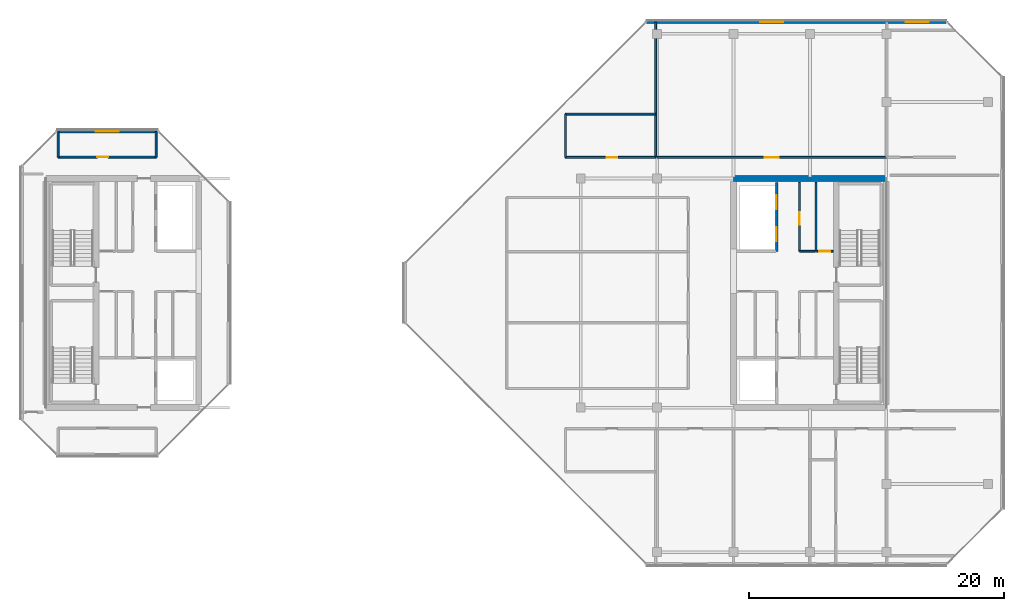
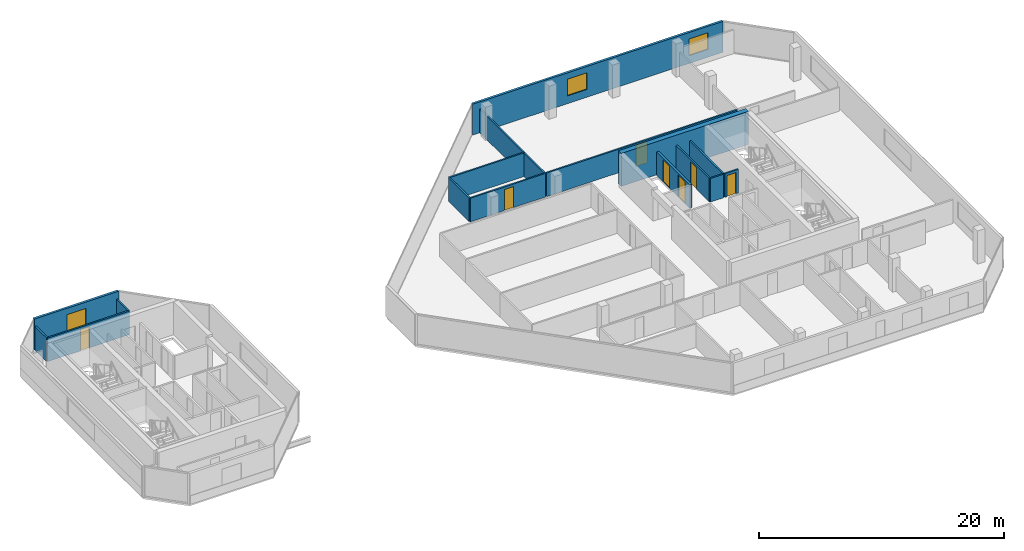
# One storey, part 24 of 29: 16 walls, 7 doors, 3 windows, 10 openings.
"""IFC4 building model written with IfcOpenShell, lengths in metres."""

from ifc_helpers import new_model, si_unit, direction, frame, frame_2d, origin, place, context, subcontext, project, spatial, rectangle, extrude, material, layer, layer_set, type_object, element, fill, save


model = new_model("IFC4")

# Units and contexts
model_context = context("Model", 3, precision=1e-05, world=origin(), true_north=direction((0.0, 1.0)))
body_context = subcontext(model_context, "Body", "Model", "MODEL_VIEW")
ifc_project = project(units=[si_unit("LENGTHUNIT", "METRE"), si_unit("AREAUNIT", "SQUARE_METRE"), si_unit("VOLUMEUNIT", "CUBIC_METRE"), si_unit("PLANEANGLEUNIT", "RADIAN"), si_unit("MASSUNIT", "GRAM", prefix="KILO")], contexts=[model_context])

# Site, building, storey
site_placement = place(None, origin())
site = spatial("IfcSite", under=ifc_project, at=site_placement, CompositionType="ELEMENT")
building_placement = place(site_placement, origin())
building = spatial("IfcBuilding", under=site, at=building_placement, Name="Tanjung Sevakor Pilgrim Tower", CompositionType="ELEMENT")
storey_placement = place(building_placement, frame((0.0, 0.0, 235.949951171875)))
storey = spatial("IfcBuildingStorey", under=building, at=storey_placement, Name="L66", CompositionType="ELEMENT", Elevation=235.949951171875)

# Walls
ifc_material_1 = material(Name="Concrete C60/75", Category="concrete")
ifc_layer_1 = layer(ifc_material_1, 0.449951171875)
ifc_layer_set_1 = layer_set([ifc_layer_1], Name="WALL-CW-450")
wall_type_1 = type_object("IfcWallType", Name="WALL-CW-450", PredefinedType="SHEAR", material=ifc_layer_set_1)
wall_1_placement = place(storey_placement, frame((90.0, 42.60009765625, 0.0), z_axis=(0.0, 0.0, 1.0), x_axis=(-1.0, 0.0, 0.0)))
element("IfcWall", 1, at=wall_1_placement, inside=storey, type_object=wall_type_1, Name="L66 E Core North Shear Wall", PredefinedType="SHEAR", context=body_context, shape_type="SweptSolid", body=[
    extrude(rectangle(XDim=12.0, YDim=0.449951171875, at=frame_2d((6.0, 0.0))), origin(), (0.0, 0.0, 1.0), 3.300048828125),
])
ifc_material_2 = material(Name="Concrete C40/50", Category="concrete")
ifc_layer_2 = layer(ifc_material_2, 0.14990234375)
ifc_layer_set_2 = layer_set([ifc_layer_2], Name="WT-COMP-150")
wall_type_2 = type_object("IfcWallType", Name="WT-COMP-150", PredefinedType="SOLIDWALL", material=ifc_layer_set_2)
wall_2_placement = place(storey_placement, frame((84.47998046875, 36.8798828125, 0.0), z_axis=(0.0, 0.0, 1.0), x_axis=(0.0, 1.0, 0.0)))
element("IfcWall", 2, at=wall_2_placement, inside=storey, type_object=wall_type_2, Name="L66 Partition IW-L66-027", PredefinedType="SOLIDWALL", context=body_context, shape_type="SweptSolid", body=[
    extrude(rectangle(XDim=5.420166015625, YDim=0.14990234375, at=frame_2d((2.7099609375, 0.0))), origin(), (0.0, 0.0, 1.0), 2.35009765625),
])

# Wall, opening, door
wall_3_placement = place(storey_placement, frame((84.550048828125, 36.8798828125, 0.0), z_axis=(0.0, 0.0, 1.0), x_axis=(1.0, 0.0, 0.0)))
wall_3 = element("IfcWall", 3, at=wall_3_placement, inside=storey, type_object=wall_type_2, Name="L66 Partition IW-L66-028", PredefinedType="SOLIDWALL", context=body_context, shape_type="SweptSolid", body=[
    extrude(rectangle(XDim=1.280029296875, YDim=0.14990234375, at=frame_2d((0.64013671875, 0.0))), origin(), (0.0, 0.0, 1.0), 2.35009765625),
])
opening_1_placement = place(wall_3_placement, frame((0.179931640625, 0.0, 0.0)))
opening_1 = element("IfcOpeningElement", 4, at=opening_1_placement, cuts=wall_3, Name="Opening ID-FD3", PredefinedType="OPENING", context=body_context, shape_type="SweptSolid", body=[
    extrude(rectangle(XDim=0.85009765625, YDim=2.10009765625, at=frame_2d((0.425048828125, 1.050048828125))), frame((0.0, 0.0849609375, 0.0), z_axis=(0.0, -1.0, 0.0), x_axis=(1.0, 0.0, 0.0)), (0.0, 0.0, 1.0), 0.169921875),
])
ifc_material_3 = material(Name="Fire-Rated Timber", Category="wood")
door_type_1 = type_object("IfcDoorType", Name="DT-FIRE-850", OperationType="NOTDEFINED", PredefinedType="DOOR", material=ifc_material_3)
door_1_placement = place(opening_1_placement, origin())
door_1 = element("IfcDoor", 5, at=door_1_placement, inside=storey, type_object=door_type_1, Name="L66 Service Store Door", OperationType="SINGLE_SWING_RIGHT", OverallHeight=2.10009765625, OverallWidth=0.85009765625, PredefinedType="DOOR", context=body_context, shape_type="SweptSolid", body=[
    extrude(rectangle(XDim=0.85009765625, YDim=2.10009765625, at=frame_2d((0.425048828125, 1.050048828125))), frame((0.0, 0.02490234375, 0.0), z_axis=(0.0, -1.0, 0.0), x_axis=(1.0, 0.0, 0.0)), (0.0, 0.0, 1.0), 0.050048828125),
])
fill(opening_1, door_1)

# Wall
wall_4_placement = place(storey_placement, frame((83.199951171875, 36.8798828125, 0.0), z_axis=(0.0, 0.0, 1.0), x_axis=(1.0, 0.0, 0.0)))
element("IfcWall", 6, at=wall_4_placement, inside=storey, type_object=wall_type_2, Name="L66 Partition IW-L66-029", PredefinedType="SOLIDWALL", context=body_context, shape_type="SweptSolid", body=[
    extrude(rectangle(XDim=1.219970703125, YDim=0.14990234375, at=frame_2d((0.60986328125, 0.0))), origin(), (0.0, 0.0, 1.0), 2.35009765625),
])

# Wall, opening, door
wall_5_placement = place(storey_placement, frame((83.179931640625, 36.8798828125, 0.0), z_axis=(0.0, 0.0, 1.0), x_axis=(0.0, 1.0, 0.0)))
wall_5 = element("IfcWall", 7, at=wall_5_placement, inside=storey, type_object=wall_type_2, Name="L66 Partition IW-L66-030", PredefinedType="SOLIDWALL", context=body_context, shape_type="SweptSolid", body=[
    extrude(rectangle(XDim=5.420166015625, YDim=0.14990234375, at=frame_2d((2.7099609375, 0.0))), origin(), (0.0, 0.0, 1.0), 2.35009765625),
])
opening_2_placement = place(wall_5_placement, frame((2.10009765625, 0.0, 0.0)))
opening_2 = element("IfcOpeningElement", 8, at=opening_2_placement, cuts=wall_5, Name="Opening ID-FD2", PredefinedType="OPENING", context=body_context, shape_type="SweptSolid", body=[
    extrude(rectangle(XDim=0.949951171875, YDim=2.14990234375, at=frame_2d((0.47509765625, 1.074951171875))), frame((0.0, 0.0849609375, 0.0), z_axis=(0.0, -1.0, 0.0), x_axis=(1.0, 0.0, 0.0)), (0.0, 0.0, 1.0), 0.169921875),
])
ifc_material_4 = material(Name="Fire-Rated Timber", Category="wood")
door_type_2 = type_object("IfcDoorType", Name="DT-FIRE-950", OperationType="NOTDEFINED", PredefinedType="DOOR", material=ifc_material_4)
door_2_placement = place(opening_2_placement, origin())
door_2 = element("IfcDoor", 9, at=door_2_placement, inside=storey, type_object=door_type_2, Name="L66 Core Reading Room Door", OperationType="SINGLE_SWING_LEFT", OverallHeight=2.14990234375, OverallWidth=0.949951171875, PredefinedType="DOOR", context=body_context, shape_type="SweptSolid", body=[
    extrude(rectangle(XDim=0.949951171875, YDim=2.14990234375, at=frame_2d((0.47509765625, 1.074951171875))), frame((0.0, 0.02490234375, 0.0), z_axis=(0.0, -1.0, 0.0), x_axis=(1.0, 0.0, 0.0)), (0.0, 0.0, 1.0), 0.050048828125),
])
fill(opening_2, door_2)

wall_6_placement = place(storey_placement, frame((24.949951171875, 44.27001953125, 0.0), z_axis=(0.0, 0.0, 1.0), x_axis=(1.0, 0.0, 0.0)))
wall_6 = element("IfcWall", 10, at=wall_6_placement, inside=storey, type_object=wall_type_2, Name="L66 Partition IW-L66-038", PredefinedType="SOLIDWALL", context=body_context, shape_type="SweptSolid", body=[
    extrude(rectangle(XDim=7.699951171875, YDim=0.14990234375, at=frame_2d((3.85009765625, 0.0))), origin(), (0.0, 0.0, 1.0), 2.35009765625),
])
opening_3_placement = place(wall_6_placement, frame((3.074951171875, 0.0, 0.0)))
opening_3 = element("IfcOpeningElement", 11, at=opening_3_placement, cuts=wall_6, Name="Opening ID-WC1", PredefinedType="OPENING", context=body_context, shape_type="SweptSolid", body=[
    extrude(rectangle(XDim=0.85009765625, YDim=2.10009765625, at=frame_2d((0.425048828125, 1.050048828125))), frame((0.0, 0.0849609375, 0.0), z_axis=(0.0, -1.0, 0.0), x_axis=(1.0, 0.0, 0.0)), (0.0, 0.0, 1.0), 0.169921875),
])
ifc_material_5 = material(Name="Moisture-Resistant Timber", Category="wood")
door_type_3 = type_object("IfcDoorType", Name="DT-INT-850", OperationType="NOTDEFINED", PredefinedType="DOOR", material=ifc_material_5)
door_3_placement = place(opening_3_placement, origin())
door_3 = element("IfcDoor", 12, at=door_3_placement, inside=storey, type_object=door_type_3, Name="L66 West Peak North Observatory Door", OperationType="SINGLE_SWING_RIGHT", OverallHeight=2.10009765625, OverallWidth=0.85009765625, PredefinedType="DOOR", context=body_context, shape_type="SweptSolid", body=[
    extrude(rectangle(XDim=0.85009765625, YDim=2.10009765625, at=frame_2d((0.425048828125, 1.050048828125))), frame((0.0, 0.02490234375, 0.0), z_axis=(0.0, -1.0, 0.0), x_axis=(1.0, 0.0, 0.0)), (0.0, 0.0, 1.0), 0.050048828125),
])
fill(opening_3, door_3)

# Walls
for number, where, z_axis, x_axis, name in (
    (13, (24.949951171875, 44.27001953125, 0.0), (0.0, 0.0, 1.0), (0.0, 1.0, 0.0), "L66 Partition IW-L66-039"),
    (14, (32.64990234375, 44.27001953125, 0.0), (0.0, 0.0, 1.0), (0.0, 1.0, 0.0), "L66 Partition IW-L66-040"),
):
    element("IfcWall", number, at=place(storey_placement, frame(where, z_axis=z_axis, x_axis=x_axis)), inside=storey, type_object=wall_type_2, Name=name, PredefinedType="SOLIDWALL", context=body_context, shape_type="SweptSolid", body=[
        extrude(rectangle(XDim=2.010009765625, YDim=0.14990234375, at=frame_2d((1.0048828125, 0.0))), origin(), (0.0, 0.0, 1.0), 2.35009765625),
    ])

# Wall, opening, door
wall_7_placement = place(storey_placement, frame((64.800048828125, 44.25, 0.0), z_axis=(0.0, 0.0, 1.0), x_axis=(1.0, 0.0, 0.0)))
wall_7 = element("IfcWall", 15, at=wall_7_placement, inside=storey, type_object=wall_type_2, Name="L66 Partition IW-L66-045", PredefinedType="SOLIDWALL", context=body_context, shape_type="SweptSolid", body=[
    extrude(rectangle(XDim=7.079833984375, YDim=0.14990234375, at=frame_2d((3.5400390625, 0.0))), origin(), (0.0, 0.0, 1.0), 2.35009765625),
])
opening_4_placement = place(wall_7_placement, frame((3.22509765625, 0.0, 0.0)))
opening_4 = element("IfcOpeningElement", 16, at=opening_4_placement, cuts=wall_7, Name="Opening ID-WC1", PredefinedType="OPENING", context=body_context, shape_type="SweptSolid", body=[
    extrude(rectangle(XDim=0.85009765625, YDim=2.10009765625, at=frame_2d((0.425048828125, 1.050048828125))), frame((0.0, 0.0849609375, 0.0), z_axis=(0.0, -1.0, 0.0), x_axis=(1.0, 0.0, 0.0)), (0.0, 0.0, 1.0), 0.169921875),
])
door_4_placement = place(opening_4_placement, origin())
door_4 = element("IfcDoor", 17, at=door_4_placement, inside=storey, type_object=door_type_3, Name="L66 NW Crown Library Door", OperationType="SINGLE_SWING_RIGHT", OverallHeight=2.10009765625, OverallWidth=0.85009765625, PredefinedType="DOOR", context=body_context, shape_type="SweptSolid", body=[
    extrude(rectangle(XDim=0.85009765625, YDim=2.10009765625, at=frame_2d((0.425048828125, 1.050048828125))), frame((0.0, 0.02490234375, 0.0), z_axis=(0.0, -1.0, 0.0), x_axis=(1.0, 0.0, 0.0)), (0.0, 0.0, 1.0), 0.050048828125),
])
fill(opening_4, door_4)

# Walls
wall_8_placement = place(storey_placement, frame((64.800048828125, 47.64990234375, 0.0), z_axis=(0.0, 0.0, 1.0), x_axis=(1.0, 0.0, 0.0)))
element("IfcWall", 18, at=wall_8_placement, inside=storey, type_object=wall_type_2, Name="L66 Partition IW-L66-046", PredefinedType="SOLIDWALL", context=body_context, shape_type="SweptSolid", body=[
    extrude(rectangle(XDim=7.079833984375, YDim=0.14990234375, at=frame_2d((3.5400390625, 0.0))), origin(), (0.0, 0.0, 1.0), 2.35009765625),
])
wall_9_placement = place(storey_placement, frame((64.800048828125, 44.25, 0.0), z_axis=(0.0, 0.0, 1.0), x_axis=(0.0, 1.0, 0.0)))
element("IfcWall", 19, at=wall_9_placement, inside=storey, type_object=wall_type_2, Name="L66 Partition IW-L66-047", PredefinedType="SOLIDWALL", context=body_context, shape_type="SweptSolid", body=[
    extrude(rectangle(XDim=3.39990234375, YDim=0.14990234375, at=frame_2d((1.699951171875, 0.0))), origin(), (0.0, 0.0, 1.0), 2.35009765625),
])
wall_10_placement = place(storey_placement, frame((71.8798828125, 44.25, 0.0), z_axis=(0.0, 0.0, 1.0), x_axis=(0.0, 1.0, 0.0)))
element("IfcWall", 20, at=wall_10_placement, inside=storey, type_object=wall_type_2, Name="L66 Partition IW-L66-048", PredefinedType="SOLIDWALL", context=body_context, shape_type="SweptSolid", body=[
    extrude(rectangle(XDim=10.610107421875, YDim=0.14990234375, at=frame_2d((5.30517578125, 0.0))), origin(), (0.0, 0.0, 1.0), 2.35009765625),
])

# Wall, opening, door
wall_11_placement = place(storey_placement, frame((72.0, 44.25, 0.0), z_axis=(0.0, 0.0, 1.0), x_axis=(1.0, 0.0, 0.0)))
wall_11 = element("IfcWall", 21, at=wall_11_placement, inside=storey, type_object=wall_type_2, Name="L66 Partition IW-L66-064", PredefinedType="SOLIDWALL", context=body_context, shape_type="SweptSolid", body=[
    extrude(rectangle(XDim=18.0, YDim=0.14990234375, at=frame_2d((9.0, 0.0))), origin(), (0.0, 0.0, 1.0), 2.35009765625),
])
opening_5_placement = place(wall_11_placement, frame((8.449951171875, 0.0, 0.0)))
opening_5 = element("IfcOpeningElement", 22, at=opening_5_placement, cuts=wall_11, Name="Opening ID-FD0", PredefinedType="OPENING", context=body_context, shape_type="SweptSolid", body=[
    extrude(rectangle(XDim=1.10009765625, YDim=2.14990234375, at=frame_2d((0.550048828125, 1.074951171875))), frame((0.0, 0.0849609375, 0.0), z_axis=(0.0, -1.0, 0.0), x_axis=(1.0, 0.0, 0.0)), (0.0, 0.0, 1.0), 0.169921875),
])
ifc_material_6 = material(Name="Fire-Rated Steel S355J2", Category="steel")
door_type_4 = type_object("IfcDoorType", Name="DT-FIRE-1100", OperationType="NOTDEFINED", PredefinedType="DOOR", material=ifc_material_6)
door_5_placement = place(opening_5_placement, origin())
door_5 = element("IfcDoor", 23, at=door_5_placement, inside=storey, type_object=door_type_4, Name="Sky-Prayer Sanctuary Door", OperationType="SINGLE_SWING_LEFT", OverallHeight=2.14990234375, OverallWidth=1.10009765625, PredefinedType="DOOR", context=body_context, shape_type="SweptSolid", body=[
    extrude(rectangle(XDim=1.10009765625, YDim=2.14990234375, at=frame_2d((0.550048828125, 1.074951171875))), frame((0.0, 0.02490234375, 0.0), z_axis=(0.0, -1.0, 0.0), x_axis=(1.0, 0.0, 0.0)), (0.0, 0.0, 1.0), 0.050048828125),
])
fill(opening_5, door_5)

# Wall, opening, window
ifc_material_7 = material(Name="Precast concrete C45/55", Category="concrete")
ifc_layer_3 = layer(ifc_material_7, 0.219970703125)
ifc_layer_set_3 = layer_set([ifc_layer_3], Name="WT-EW-STN4")
wall_type_3 = type_object("IfcWallType", Name="WT-EW-STN4", PredefinedType="SOLIDWALL", material=ifc_layer_set_3)
wall_12_placement = place(storey_placement, frame((32.804443359375, 46.2900390625, 0.0), z_axis=(0.0, 0.0, 1.0), x_axis=(-1.0, 0.0, 0.0)))
wall_12 = element("IfcWall", 24, at=wall_12_placement, inside=storey, type_object=wall_type_3, Name="L66 WEST Exterior Wall 5", PredefinedType="SOLIDWALL", context=body_context, shape_type="SweptSolid", body=[
    extrude(rectangle(XDim=7.958740234375, YDim=0.219970703125, at=frame_2d((3.9794921875, 0.0))), origin(), (0.0, 0.0, 1.0), 3.080078125),
])
opening_6_placement = place(wall_12_placement, frame((3.1044921875, 0.0, 0.780029296875)))
opening_6 = element("IfcOpeningElement", 25, at=opening_6_placement, cuts=wall_12, Name="Opening WN-Z3-1660", PredefinedType="OPENING", context=body_context, shape_type="SweptSolid", body=[
    extrude(rectangle(XDim=1.800048828125, YDim=1.659912109375, at=frame_2d((0.89990234375, 0.830078125))), frame((0.0, 0.119873046875, 0.0), z_axis=(0.0, -1.0, 0.0), x_axis=(1.0, 0.0, 0.0)), (0.0, 0.0, 1.0), 0.239990234375),
])
ifc_material_8 = material(Name="Thermally Broken Aluminium and Low-E Glass", Category="aluminium")
window_type = type_object("IfcWindowType", Name="WTYP-WN-Z3-1660", PartitioningType="DOUBLE_PANEL_VERTICAL", PredefinedType="WINDOW", material=ifc_material_8)
window_1_placement = place(opening_6_placement, origin())
window_1 = element("IfcWindow", 26, at=window_1_placement, inside=storey, type_object=window_type, Name="L66 Facade Window 01", OverallHeight=1.659912109375, OverallWidth=1.800048828125, PartitioningType="SINGLE_PANEL", PredefinedType="WINDOW", context=body_context, shape_type="SweptSolid", body=[
    extrude(rectangle(XDim=1.800048828125, YDim=1.659912109375, at=frame_2d((0.89990234375, 0.830078125))), frame((0.0, 0.030029296875, 0.0), z_axis=(0.0, -1.0, 0.0), x_axis=(1.0, 0.0, 0.0)), (0.0, 0.0, 1.0), 0.06005859375),
])
fill(opening_6, window_1)

# Wall, openings, windows
wall_13_placement = place(storey_placement, frame((94.75439453125, 54.889892578125, 0.0), z_axis=(0.0, 0.0, 1.0), x_axis=(-1.0, 0.0, 0.0)))
wall_13 = element("IfcWall", 27, at=wall_13_placement, inside=storey, type_object=wall_type_3, Name="L66 EAST Exterior Wall 5", PredefinedType="SOLIDWALL", context=body_context, shape_type="SweptSolid", body=[
    extrude(rectangle(XDim=23.60888671875, YDim=0.219970703125, at=frame_2d((11.804443359375, 0.0))), origin(), (0.0, 0.0, 1.0), 3.080078125),
])
opening_7_placement = place(wall_13_placement, frame((1.42724609375, 0.0, 0.780029296875)))
opening_7 = element("IfcOpeningElement", 28, at=opening_7_placement, cuts=wall_13, Name="Opening WN-Z3-1660", PredefinedType="OPENING", context=body_context, shape_type="SweptSolid", body=[
    extrude(rectangle(XDim=1.800048828125, YDim=1.659912109375, at=frame_2d((0.89990234375, 0.830078125))), frame((0.0, 0.119873046875, 0.0), z_axis=(0.0, -1.0, 0.0), x_axis=(1.0, 0.0, 0.0)), (0.0, 0.0, 1.0), 0.239990234375),
])
opening_8_placement = place(wall_13_placement, frame((12.8544921875, 0.0, 0.780029296875)))
opening_8 = element("IfcOpeningElement", 29, at=opening_8_placement, cuts=wall_13, Name="Opening WN-Z3-1660", PredefinedType="OPENING", context=body_context, shape_type="SweptSolid", body=[
    extrude(rectangle(XDim=1.800048828125, YDim=1.659912109375, at=frame_2d((0.89990234375, 0.830078125))), frame((0.0, 0.119873046875, 0.0), z_axis=(0.0, -1.0, 0.0), x_axis=(1.0, 0.0, 0.0)), (0.0, 0.0, 1.0), 0.239990234375),
])
window_2_placement = place(opening_7_placement, origin())
window_2 = element("IfcWindow", 30, at=window_2_placement, inside=storey, type_object=window_type, Name="L66 Facade Window 01", OverallHeight=1.659912109375, OverallWidth=1.800048828125, PartitioningType="SINGLE_PANEL", PredefinedType="WINDOW", context=body_context, shape_type="SweptSolid", body=[
    extrude(rectangle(XDim=1.800048828125, YDim=1.659912109375, at=frame_2d((0.89990234375, 0.830078125))), frame((0.0, 0.030029296875, 0.0), z_axis=(0.0, -1.0, 0.0), x_axis=(1.0, 0.0, 0.0)), (0.0, 0.0, 1.0), 0.06005859375),
])
fill(opening_7, window_2)
window_3_placement = place(opening_8_placement, origin())
window_3 = element("IfcWindow", 31, at=window_3_placement, inside=storey, type_object=window_type, Name="L66 Facade Window 02", OverallHeight=1.659912109375, OverallWidth=1.800048828125, PartitioningType="SINGLE_PANEL", PredefinedType="WINDOW", context=body_context, shape_type="SweptSolid", body=[
    extrude(rectangle(XDim=1.800048828125, YDim=1.659912109375, at=frame_2d((0.89990234375, 0.830078125))), frame((0.0, 0.030029296875, 0.0), z_axis=(0.0, -1.0, 0.0), x_axis=(1.0, 0.0, 0.0)), (0.0, 0.0, 1.0), 0.06005859375),
])
fill(opening_8, window_3)

# Wall, openings, doors
ifc_material_9 = material(Name="Concrete C40/50", Category="concrete")
ifc_layer_4 = layer(ifc_material_9, 0.199951171875)
ifc_layer_set_4 = layer_set([ifc_layer_4], Name="WT-FPRT-200")
wall_type_4 = type_object("IfcWallType", Name="WT-FPRT-200", PredefinedType="SOLIDWALL", material=ifc_layer_set_4)
wall_14_placement = place(storey_placement, frame((81.3798828125, 36.8798828125, 0.0), z_axis=(0.0, 0.0, 1.0), x_axis=(0.0, 1.0, 0.0)))
wall_14 = element("IfcWall", 32, at=wall_14_placement, inside=storey, type_object=wall_type_4, Name="L66 Partition IW-L66-032", PredefinedType="SOLIDWALL", context=body_context, shape_type="SweptSolid", body=[
    extrude(rectangle(XDim=5.420166015625, YDim=0.199951171875, at=frame_2d((2.7099609375, 0.0))), origin(), (0.0, 0.0, 1.0), 2.35009765625),
])
opening_9_placement = place(wall_14_placement, frame((0.800048828125, 0.0, 0.0)))
opening_9 = element("IfcOpeningElement", 33, at=opening_9_placement, cuts=wall_14, Name="Opening LD-1100", PredefinedType="OPENING", context=body_context, shape_type="SweptSolid", body=[
    extrude(rectangle(XDim=1.10009765625, YDim=2.199951171875, at=frame_2d((0.550048828125, 1.10009765625))), frame((0.0, 0.10986328125, 0.0), z_axis=(0.0, -1.0, 0.0), x_axis=(1.0, 0.0, 0.0)), (0.0, 0.0, 1.0), 0.219970703125),
])
opening_10_placement = place(wall_14_placement, frame((3.300048828125, 0.0, 0.0)))
opening_10 = element("IfcOpeningElement", 34, at=opening_10_placement, cuts=wall_14, Name="Opening LD-1100", PredefinedType="OPENING", context=body_context, shape_type="SweptSolid", body=[
    extrude(rectangle(XDim=1.10009765625, YDim=2.199951171875, at=frame_2d((0.550048828125, 1.10009765625))), frame((0.0, 0.10986328125, 0.0), z_axis=(0.0, -1.0, 0.0), x_axis=(1.0, 0.0, 0.0)), (0.0, 0.0, 1.0), 0.219970703125),
])
ifc_material_10 = material(Name="Brushed Stainless Steel S355J2", Category="steel")
door_type_5 = type_object("IfcDoorType", Name="DT-LIFT-1100", OperationType="SLIDING_TO_LEFT", PredefinedType="DOOR", material=ifc_material_10)
door_6_placement = place(opening_9_placement, origin())
door_6 = element("IfcDoor", 35, at=door_6_placement, inside=storey, type_object=door_type_5, Name="LD-PLH1-E", OperationType="SLIDING_TO_LEFT", OverallHeight=2.199951171875, OverallWidth=1.10009765625, PredefinedType="DOOR", context=body_context, shape_type="SweptSolid", body=[
    extrude(rectangle(XDim=1.10009765625, YDim=2.199951171875, at=frame_2d((0.550048828125, 1.10009765625))), frame((0.0, 0.02490234375, 0.0), z_axis=(0.0, -1.0, 0.0), x_axis=(1.0, 0.0, 0.0)), (0.0, 0.0, 1.0), 0.050048828125),
])
fill(opening_9, door_6)
door_7_placement = place(opening_10_placement, origin())
door_7 = element("IfcDoor", 36, at=door_7_placement, inside=storey, type_object=door_type_5, Name="LD-PLH2-E", OperationType="SLIDING_TO_RIGHT", OverallHeight=2.199951171875, OverallWidth=1.10009765625, PredefinedType="DOOR", context=body_context, shape_type="SweptSolid", body=[
    extrude(rectangle(XDim=1.10009765625, YDim=2.199951171875, at=frame_2d((0.550048828125, 1.10009765625))), frame((0.0, 0.02490234375, 0.0), z_axis=(0.0, -1.0, 0.0), x_axis=(1.0, 0.0, 0.0)), (0.0, 0.0, 1.0), 0.050048828125),
])
fill(opening_10, door_7)

save(model, "model.ifc")
